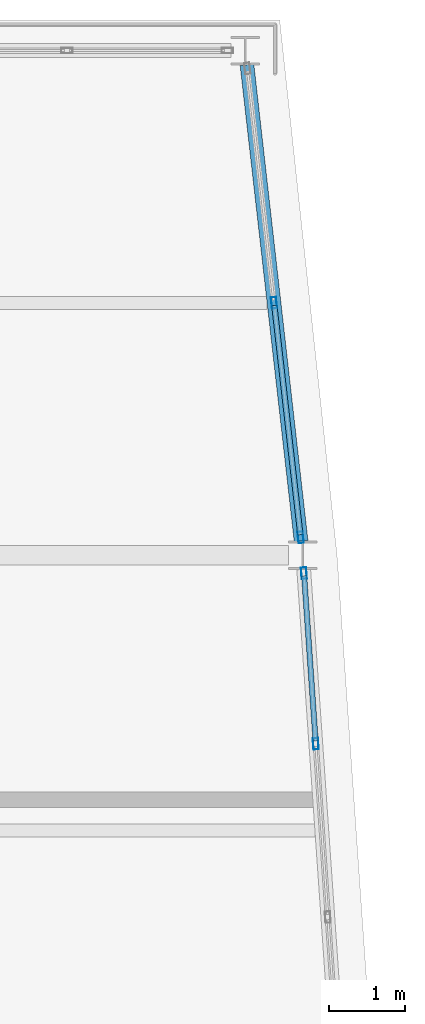
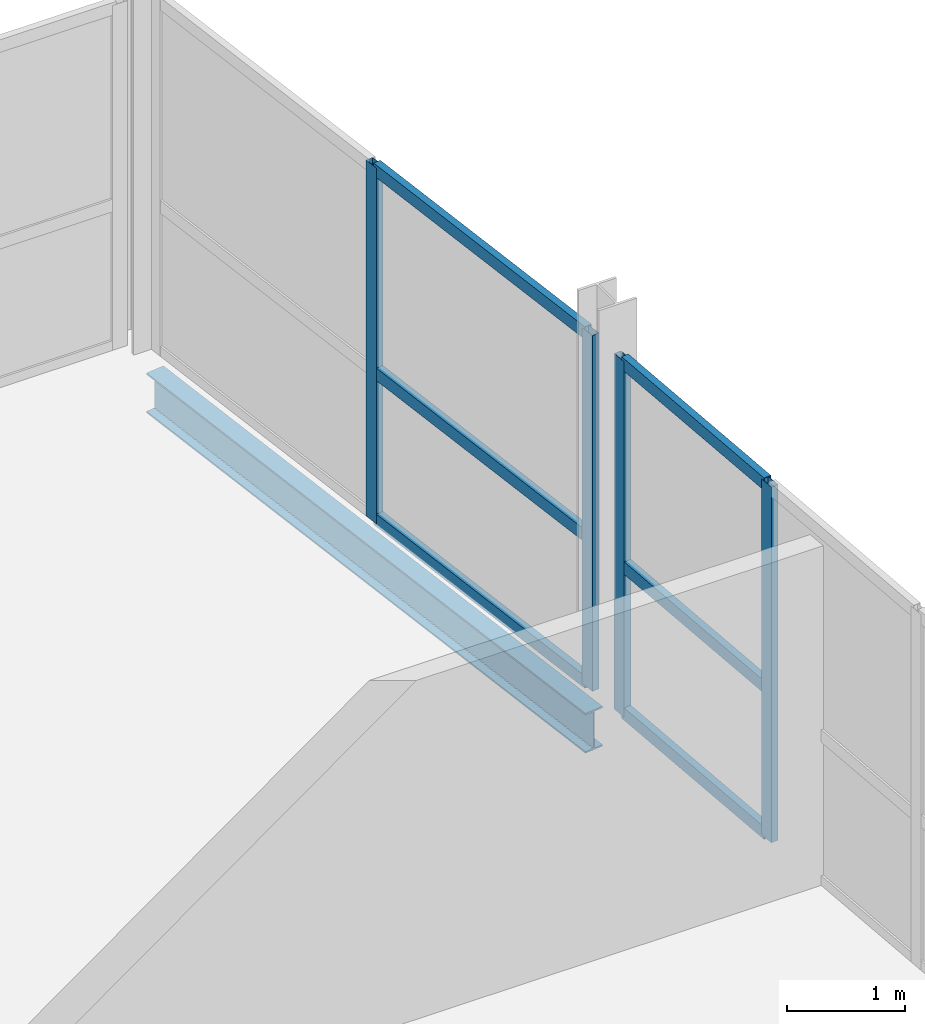
# One storey, part 10 of 20: 10 members, 1 beam, 2 elements without a shape of their own.
"""IFC4 building model written with IfcOpenShell, lengths in metres."""

from ifc_helpers import new_model, si_unit, direction, frame, origin, origin_2d, place, context, subcontext, project, spatial, hollow_rectangle, i_section, extrude, material, layer, layer_set, material_profile, profile_set, type_object, element, aggregate, save


model = new_model("IFC4")

# Units and contexts
model_context = context("Model", 3, precision=1e-05, world=origin(), true_north=direction((0.0, 1.0)))
body_context = subcontext(model_context, "Body", "Model", "MODEL_VIEW")
ifc_project = project(units=[si_unit("LENGTHUNIT", "METRE"), si_unit("AREAUNIT", "SQUARE_METRE"), si_unit("VOLUMEUNIT", "CUBIC_METRE"), si_unit("PLANEANGLEUNIT", "RADIAN"), si_unit("MASSUNIT", "GRAM", prefix="KILO")], contexts=[model_context])

# Site, building, storey
site_placement = place(None, origin())
site = spatial("IfcSite", under=ifc_project, at=site_placement, CompositionType="ELEMENT")
building_placement = place(site_placement, origin())
building = spatial("IfcBuilding", under=site, at=building_placement, Name="Quillay Park Conservatory", CompositionType="ELEMENT")
storey_placement = place(building_placement, frame((0.0, 0.0, 30.89990234375)))
storey = spatial("IfcBuildingStorey", under=building, at=storey_placement, Name="L07", CompositionType="ELEMENT", Elevation=30.89990234375)

# Curtain wall, members
ifc_material_1 = material(Name="Thermally Broken Anodised Aluminium 6063-T6", Category="aluminium")
ifc_layer = layer(ifc_material_1, 0.199951171875)
ifc_layer_set = layer_set([ifc_layer], Name="UNITISED CURTAIN WALL HERBARIUM (Thermally Broken Anodised Aluminium 6063-T6)")
curtain_wall_type = type_object("IfcCurtainWallType", Name="UNITISED CURTAIN WALL HERBARIUM", PredefinedType="USERDEFINED", material=ifc_layer_set)
curtain_wall_1_placement = place(storey_placement, origin())
curtain_wall_1 = element("IfcCurtainWall", 1, at=curtain_wall_1_placement, inside=storey, type_object=curtain_wall_type, Name="L07 Unitised Curtain Wall 073", ObjectType="UNITISED CURTAIN WALL", PredefinedType="USERDEFINED")
ifc_material_2 = material(Name="Thermally Broken Anodised Aluminium 6063-T6", Category="aluminium")
ifc_material_profile_1 = material_profile(ifc_material_2, hollow_rectangle(XDim=0.070068359375, YDim=0.14990234375, WallThickness=0.00341796875, at=origin_2d()), Name="AL70x150x3.5")
ifc_profile_set_1 = profile_set([ifc_material_profile_1], Name="Thermally Broken Anodised Aluminium 6063-T6")
member_type_1 = type_object("IfcMemberType", Name="CURTAIN WALL MULLION 70 X150", PredefinedType="MULLION", material=ifc_profile_set_1)
member_1_placement = place(storey_placement, frame((27.31640625, 106.565673828125, 0.0), z_axis=(0.0, 0.0, 1.0), x_axis=(0.99759835015, 0.069264217159, 0.0)))
member_1 = element("IfcMember", 2, at=member_1_placement, type_object=member_type_1, Name="CW-T2 mullion 1", PredefinedType="MULLION", context=body_context, shape_type="SweptSolid", body=[
    extrude(hollow_rectangle(XDim=0.070068359375, YDim=0.14990234375, WallThickness=0.00341796875, at=origin_2d()), origin(), (0.0, 0.0, 1.0), 3.68701171875),
])
member_2_placement = place(storey_placement, frame((27.47119140625, 104.33349609375, 0.0), z_axis=(0.0, 0.0, 1.0), x_axis=(0.99759835015, 0.069264217159, 0.0)))
member_2 = element("IfcMember", 3, at=member_2_placement, type_object=member_type_1, Name="CW-T2 mullion 2", PredefinedType="MULLION", context=body_context, shape_type="SweptSolid", body=[
    extrude(hollow_rectangle(XDim=0.070068359375, YDim=0.14990234375, WallThickness=0.00341796875, at=origin_2d()), origin(), (0.0, 0.0, 1.0), 3.68701171875),
])

curtain_wall_2_placement = place(storey_placement, origin())
curtain_wall_2 = element("IfcCurtainWall", 4, at=curtain_wall_2_placement, inside=storey, type_object=curtain_wall_type, Name="L07 Unitised Curtain Wall 074", ObjectType="UNITISED CURTAIN WALL", PredefinedType="USERDEFINED")
member_3_placement = place(storey_placement, frame((26.925048828125, 110.10009765625, 0.0), z_axis=(0.0, 0.0, 1.0), x_axis=(0.993605989969, 0.112903218278, 0.0)))
member_3 = element("IfcMember", 5, at=member_3_placement, type_object=member_type_1, Name="CW-T2 mullion 2", PredefinedType="MULLION", context=body_context, shape_type="SweptSolid", body=[
    extrude(hollow_rectangle(XDim=0.070068359375, YDim=0.14990234375, WallThickness=0.00341796875, at=origin_2d()), origin(), (0.0, 0.0, 1.0), 3.68701171875),
])
member_4_placement = place(storey_placement, frame((27.2734375, 107.033447265625, 0.0), z_axis=(0.0, 0.0, 1.0), x_axis=(0.993605989969, 0.112903218278, 0.0)))
member_4 = element("IfcMember", 6, at=member_4_placement, type_object=member_type_1, Name="CW-T2 mullion 3", PredefinedType="MULLION", context=body_context, shape_type="SweptSolid", body=[
    extrude(hollow_rectangle(XDim=0.070068359375, YDim=0.14990234375, WallThickness=0.00341796875, at=origin_2d()), origin(), (0.0, 0.0, 1.0), 3.68701171875),
])

# Member
ifc_material_3 = material(Name="Thermally Broken Anodised Aluminium 6063-T6", Category="aluminium")
ifc_material_profile_2 = material_profile(ifc_material_3, hollow_rectangle(XDim=0.070068359375, YDim=0.1298828125, WallThickness=0.003173828125, at=origin_2d()), Name="AL70x130x3.2")
ifc_profile_set_2 = profile_set([ifc_material_profile_2], Name="Thermally Broken Anodised Aluminium 6063-T6")
member_type_2 = type_object("IfcMemberType", Name="CURTAIN WALL TRANSOM 70 X130", PredefinedType="USERDEFINED", material=ifc_profile_set_2)
member_5_placement = place(storey_placement, frame((27.31884765625, 106.53076171875, 0.03515625), z_axis=(0.069269814421, -0.997597961511, 0.0), x_axis=(0.997597961511, 0.069269814421, 0.0)))
member_5 = element("IfcMember", 7, at=member_5_placement, type_object=member_type_2, Name="CW-T2 transom 1.1", ObjectType="TRANSOM", PredefinedType="USERDEFINED", context=body_context, shape_type="SweptSolid", body=[
    extrude(hollow_rectangle(XDim=0.070068359375, YDim=0.1298828125, WallThickness=0.003173828125, at=origin_2d()), origin(), (0.0, 0.0, 1.0), 2.16748046875),
])

member_6_placement = place(storey_placement, frame((27.31884765625, 106.53076171875, 1.548583984375), z_axis=(0.069269814421, -0.997597961511, 0.0), x_axis=(0.997597961511, 0.069269814421, 0.0)))
member_6 = element("IfcMember", 8, at=member_6_placement, type_object=member_type_2, Name="CW-T2 transom 1.2", ObjectType="TRANSOM", PredefinedType="USERDEFINED", context=body_context, shape_type="SweptSolid", body=[
    extrude(hollow_rectangle(XDim=0.070068359375, YDim=0.1298828125, WallThickness=0.003173828125, at=origin_2d()), origin(), (0.0, 0.0, 1.0), 2.16748046875),
])

member_7_placement = place(storey_placement, frame((27.31884765625, 106.53076171875, 3.652099609375), z_axis=(0.069269814421, -0.997597961511, 0.0), x_axis=(0.997597961511, 0.069269814421, 0.0)))
member_7 = element("IfcMember", 9, at=member_7_placement, type_object=member_type_2, Name="CW-T2 transom 1.3", ObjectType="TRANSOM", PredefinedType="USERDEFINED", context=body_context, shape_type="SweptSolid", body=[
    extrude(hollow_rectangle(XDim=0.070068359375, YDim=0.1298828125, WallThickness=0.003173828125, at=origin_2d()), origin(), (0.0, 0.0, 1.0), 2.16748046875),
])

aggregate(curtain_wall_1, [member_1, member_2, member_5, member_6, member_7])

member_8_placement = place(storey_placement, frame((26.928955078125, 110.065185546875, 0.03515625), z_axis=(0.112918769109, -0.993604222808, 0.0), x_axis=(0.993604222808, 0.112918769109, 0.0)))
member_8 = element("IfcMember", 10, at=member_8_placement, type_object=member_type_2, Name="CW-T2 transom 2.1", ObjectType="TRANSOM", PredefinedType="USERDEFINED", context=body_context, shape_type="SweptSolid", body=[
    extrude(hollow_rectangle(XDim=0.070068359375, YDim=0.1298828125, WallThickness=0.003173828125, at=origin_2d()), origin(), (0.0, 0.0, 1.0), 3.01611328125),
])

member_9_placement = place(storey_placement, frame((26.928955078125, 110.065185546875, 1.548583984375), z_axis=(0.112918769109, -0.993604222808, 0.0), x_axis=(0.993604222808, 0.112918769109, 0.0)))
member_9 = element("IfcMember", 11, at=member_9_placement, type_object=member_type_2, Name="CW-T2 transom 2.2", ObjectType="TRANSOM", PredefinedType="USERDEFINED", context=body_context, shape_type="SweptSolid", body=[
    extrude(hollow_rectangle(XDim=0.070068359375, YDim=0.1298828125, WallThickness=0.003173828125, at=origin_2d()), origin(), (0.0, 0.0, 1.0), 3.01611328125),
])

member_10_placement = place(storey_placement, frame((26.928955078125, 110.065185546875, 3.652099609375), z_axis=(0.112918769109, -0.993604222808, 0.0), x_axis=(0.993604222808, 0.112918769109, 0.0)))
member_10 = element("IfcMember", 12, at=member_10_placement, type_object=member_type_2, Name="CW-T2 transom 2.3", ObjectType="TRANSOM", PredefinedType="USERDEFINED", context=body_context, shape_type="SweptSolid", body=[
    extrude(hollow_rectangle(XDim=0.070068359375, YDim=0.1298828125, WallThickness=0.003173828125, at=origin_2d()), origin(), (0.0, 0.0, 1.0), 3.01611328125),
])

aggregate(curtain_wall_2, [member_3, member_4, member_8, member_9, member_10])

# Beam
ifc_material_4 = material(Name="Steel ASTM A992 Grade 50", Category="steel")
ifc_material_profile_3 = material_profile(ifc_material_4, i_section(OverallWidth=0.179931640625, OverallDepth=0.4130859375, WebThickness=0.009765625, FlangeThickness=0.01611328125, FilletRadius=0.011962890625, at=origin_2d()), Name="W410x74")
ifc_profile_set_3 = profile_set([ifc_material_profile_3], Name="Steel ASTM A992 Grade 50")
beam_type = type_object("IfcBeamType", Name="PERIMETER SPANDREL BEAM W410 X74", PredefinedType="SPANDREL", material=ifc_profile_set_3)
beam_placement = place(storey_placement, frame((27.279052734375, 106.98486328125, -0.426513671875), z_axis=(-0.112914056169, 0.993604758402, 0.0), x_axis=(-0.993604758402, -0.112914056169, 0.0)))
element("IfcBeam", 13, at=beam_placement, inside=storey, type_object=beam_type, Name="L07 beam BM-SPE-0578", PredefinedType="SPANDREL", context=body_context, shape_type="SweptSolid", body=[
    extrude(i_section(OverallWidth=0.179931640625, OverallDepth=0.4130859375, WebThickness=0.009765625, FlangeThickness=0.01611328125, FilletRadius=0.011962890625, at=origin_2d()), origin(), (0.0, 0.0, 1.0), 6.270263671875),
])

save(model, "model.ifc")
